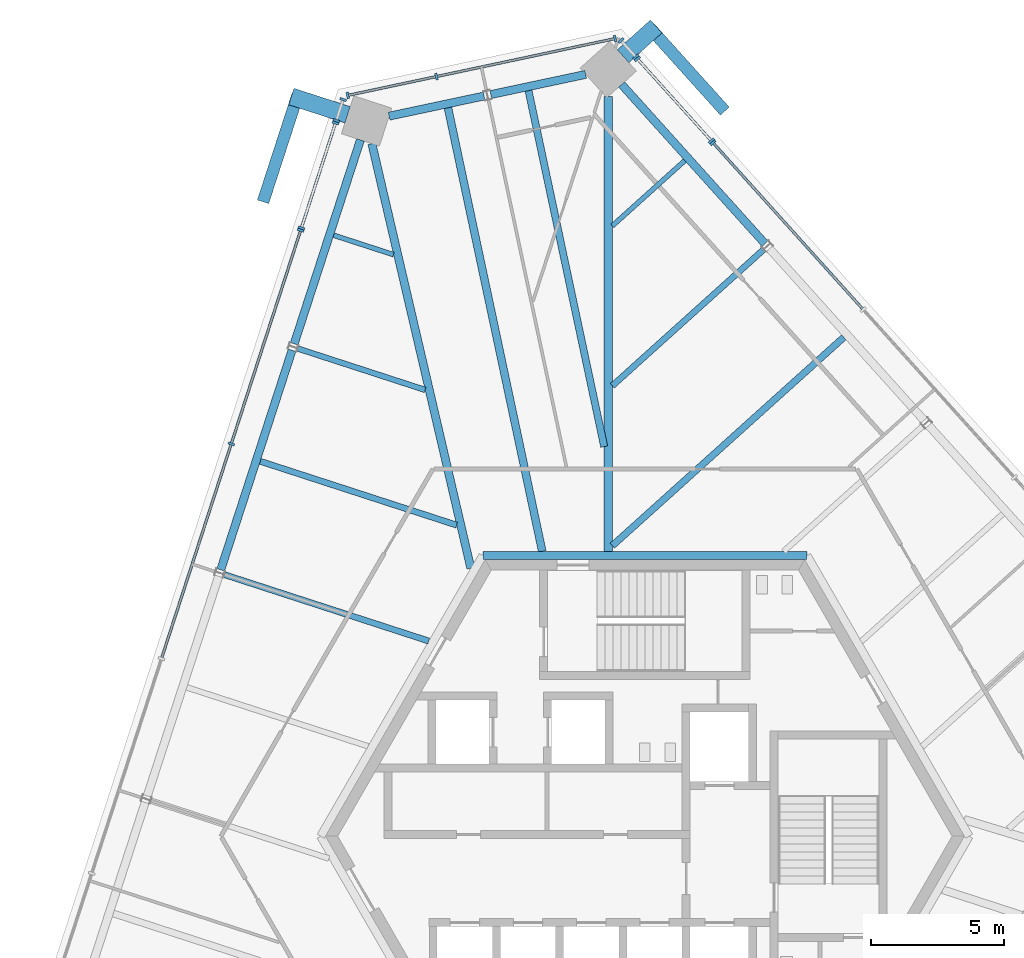
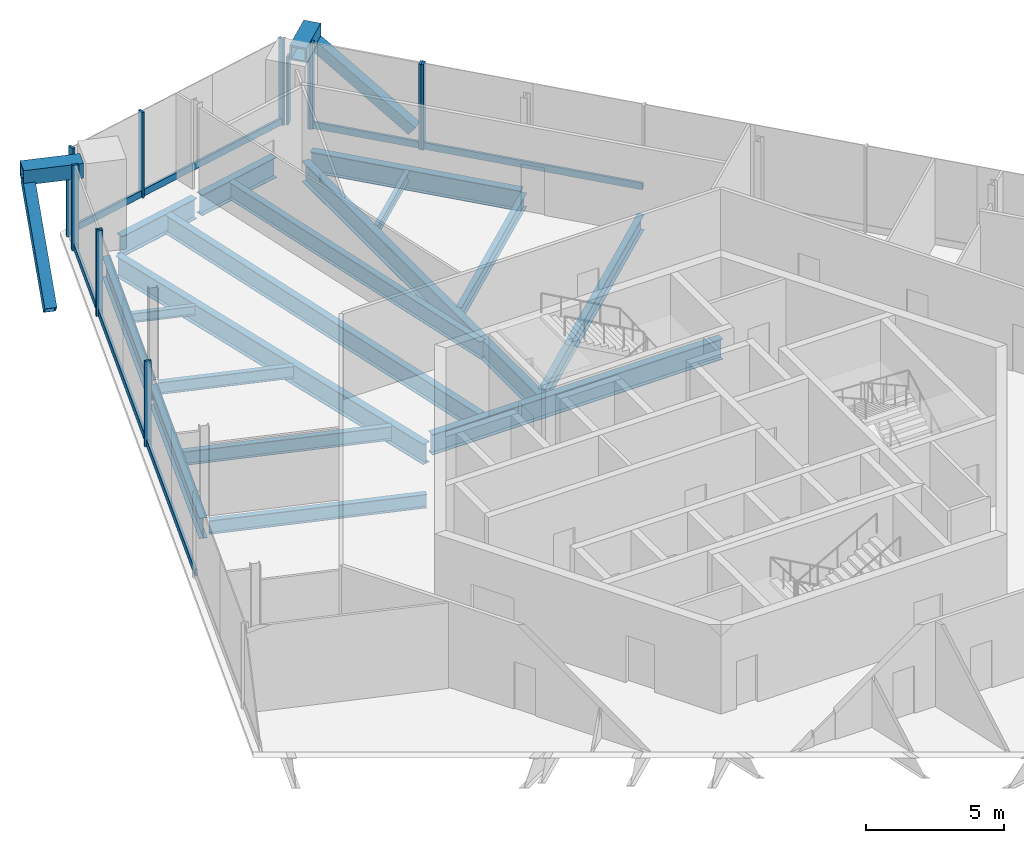
# One storey, part 7 of 16: 25 members, 17 beams, 7 elements without a shape of their own.
"""IFC4 building model written with IfcOpenShell, lengths in metres."""

import ifcopenshell
import ifcopenshell.guid

model = None  # the IFC model being written
_history = None  # IfcOwnerHistory: only IFC2X3 demands one
_inside = {}  # id of a spatial element -> (the spatial element, [elements in it])
_under = {}  # id of a project, library or spatial element -> (it, [spatial elements below it])
_declared = {}  # id of a project -> (the project, [libraries it declares])
_typed = {}  # id of a type object -> (the type object, [elements of that type])
_made_of = {}  # id of a material, layer set ... -> (it, [elements and type objects made of it])


def new_model(schema):
    """Start an empty IFC model of exactly this schema.

    Asked for "IFC4X3", IfcOpenShell would pick the latest addendum, in which some entities
    have other attributes; the version numbers below select the first issue.
    IFC2X3 requires an IfcOwnerHistory on every rooted entity: one is made here for all.
    """
    global model, _history
    if schema == "IFC4X3":
        model = ifcopenshell.file(schema_version=(4, 3, 0, 0))
    else:
        model = ifcopenshell.file(schema=schema)
    _inside.clear()
    _under.clear()
    _declared.clear()
    _typed.clear()
    _made_of.clear()
    _history = None
    if model.schema == "IFC2X3":
        org = make("IfcOrganization", Name="unknown")
        user = make(
            "IfcPersonAndOrganization",
            ThePerson=make("IfcPerson", FamilyName="unknown"),
            TheOrganization=org,
        )
        app = make(
            "IfcApplication",
            ApplicationDeveloper=org,
            Version="unknown",
            ApplicationFullName="unknown",
            ApplicationIdentifier="unknown",
        )
        _history = make(
            "IfcOwnerHistory",
            OwningUser=user,
            OwningApplication=app,
            ChangeAction="ADDED",
            CreationDate=0,
        )
    return model


def make(cls, **values):
    """One entity of the class cls with the attributes given. An attribute that is None is left unset."""
    return model.create_entity(
        cls, **{name: value for name, value in values.items() if value is not None}
    )


def rooted(cls, **values):
    """An entity with a GlobalId (a new one), such as an element, a storey or a relation."""
    return make(cls, GlobalId=ifcopenshell.guid.new(), OwnerHistory=_history, **values)


def si_unit(unit_type, name, prefix=None):
    """IfcSIUnit, for example si_unit("LENGTHUNIT", "METRE", prefix="MILLI")."""
    return make("IfcSIUnit", UnitType=unit_type, Prefix=prefix, Name=name)


def assignment(units):
    """IfcUnitAssignment: the units of a project."""
    return None if units is None else make("IfcUnitAssignment", Units=units)


def point(xyz):
    """IfcCartesianPoint."""
    return None if xyz is None else make("IfcCartesianPoint", Coordinates=xyz)


def direction(xyz):
    """IfcDirection."""
    return None if xyz is None else make("IfcDirection", DirectionRatios=xyz)


def frame(location, z_axis=None, x_axis=None):
    """IfcAxis2Placement3D, a coordinate frame: its origin and axes. An axis left out is left unset."""
    return make(
        "IfcAxis2Placement3D",
        Location=point(location),
        Axis=direction(z_axis),
        RefDirection=direction(x_axis),
    )


def frame_2d(location, x_axis=None):
    """IfcAxis2Placement2D, a coordinate frame in the plane: its origin and x axis."""
    return make(
        "IfcAxis2Placement2D", Location=point(location), RefDirection=direction(x_axis)
    )


def origin():
    """The frame at (0, 0, 0) with its axes left unset."""
    return frame((0.0, 0.0, 0.0))


def origin_2d():
    """The frame at (0, 0) in the plane with its x axis left unset."""
    return frame_2d((0.0, 0.0))


def place(relative_to, where):
    """IfcLocalPlacement: puts the frame where relative to a parent placement (None: the world)."""
    return make(
        "IfcLocalPlacement", PlacementRelTo=relative_to, RelativePlacement=where
    )


def context(
    kind, dimensions, precision=None, world=None, true_north=None, identifier=None
):
    """IfcGeometricRepresentationContext, for example the 3D "Model" context."""
    return make(
        "IfcGeometricRepresentationContext",
        ContextIdentifier=identifier,
        ContextType=kind,
        CoordinateSpaceDimension=dimensions,
        Precision=precision,
        WorldCoordinateSystem=world,
        TrueNorth=true_north,
    )


def subcontext(parent, identifier, kind, view, scale=None):
    """IfcGeometricRepresentationSubContext, for example "Body" below "Model"."""
    return make(
        "IfcGeometricRepresentationSubContext",
        ContextIdentifier=identifier,
        ContextType=kind,
        ParentContext=parent,
        TargetScale=scale,
        TargetView=view,
    )


def project(units=None, contexts=None):
    """IfcProject with its units and contexts."""
    return rooted(
        "IfcProject",
        Name="project",
        RepresentationContexts=contexts,
        UnitsInContext=assignment(units),
    )


def spatial(cls, under=None, at=None, **own):
    """A site, building, storey or space (cls), placed at a placement, below another one or the project."""
    s = rooted(cls, ObjectPlacement=at, **own)
    if under is not None:
        _under.setdefault(under.id(), (under, []))[1].append(s)
    return s


def profile(cls, at=None, kind="AREA", **sizes):
    """A parametric profile (cls). Its sizes go by their IFC names, for example OverallWidth=200.0."""
    return make(cls, ProfileType=kind, Position=at, **sizes)


def rectangle(**sizes):
    """IfcRectangleProfileDef."""
    return profile("IfcRectangleProfileDef", **sizes)


def hollow_rectangle(**sizes):
    """IfcRectangleHollowProfileDef."""
    return profile("IfcRectangleHollowProfileDef", **sizes)


def i_section(**sizes):
    """IfcIShapeProfileDef."""
    return profile("IfcIShapeProfileDef", **sizes)


def extrude(swept, where, along, depth):
    """IfcExtrudedAreaSolid: the profile swept, set in the frame where, extruded along a direction by depth."""
    return make(
        "IfcExtrudedAreaSolid",
        SweptArea=swept,
        Position=where,
        ExtrudedDirection=direction(along),
        Depth=depth,
    )


def shape(context_of_items, identifier, shape_type, items):
    """IfcShapeRepresentation: the items that make up one representation, for example the "Body"."""
    return make(
        "IfcShapeRepresentation",
        ContextOfItems=context_of_items,
        RepresentationIdentifier=identifier,
        RepresentationType=shape_type,
        Items=items,
    )


def source(mapping_origin, context_of_items, identifier, shape_type, items):
    """IfcRepresentationMap: a shape defined once, which mapped items show again and again."""
    return make(
        "IfcRepresentationMap",
        MappingOrigin=mapping_origin,
        MappedRepresentation=shape(context_of_items, identifier, shape_type, items),
    )


def transform(
    local_origin,
    x_axis=None,
    y_axis=None,
    z_axis=None,
    scale=None,
    scale2=None,
    scale3=None,
    uniform=True,
):
    """IfcCartesianTransformationOperator3D, or its non-uniform kind. x_axis, y_axis, z_axis: its Axis1, 2, 3."""
    if uniform:
        return make(
            "IfcCartesianTransformationOperator3D",
            Axis1=direction(x_axis),
            Axis2=direction(y_axis),
            LocalOrigin=point(local_origin),
            Scale=scale,
            Axis3=direction(z_axis),
        )
    return make(
        "IfcCartesianTransformationOperator3DnonUniform",
        Axis1=direction(x_axis),
        Axis2=direction(y_axis),
        LocalOrigin=point(local_origin),
        Scale=scale,
        Axis3=direction(z_axis),
        Scale2=scale2,
        Scale3=scale3,
    )


def mapped(mapping_source, mapping_target):
    """IfcMappedItem: shows the shape of a source again, moved by a transform."""
    return make(
        "IfcMappedItem", MappingSource=mapping_source, MappingTarget=mapping_target
    )


def material(Name=None, Category=None):
    """IfcMaterial."""
    return make("IfcMaterial", Name=Name, Category=Category)


def material_profile(
    of_material, cross_section, Name=None, Category=None, Priority=None
):
    """IfcMaterialProfile: a cross section and its material."""
    return make(
        "IfcMaterialProfile",
        Name=Name,
        Material=of_material,
        Profile=cross_section,
        Priority=Priority,
        Category=Category,
    )


def profile_set(profiles, Name=None, composite=None):
    """IfcMaterialProfileSet."""
    return make(
        "IfcMaterialProfileSet",
        Name=Name,
        MaterialProfiles=profiles,
        CompositeProfile=composite,
    )


def made_of(thing, what):
    """Note that an element or type object is made of a material, layer set ...; save() writes the relation."""
    if what is not None:
        _made_of.setdefault(what.id(), (what, []))[1].append(thing)
    return thing


def type_object(cls, material=None, **own):
    """A type object (cls), such as IfcWallType, which elements share."""
    return made_of(rooted(cls, **own), material)


def element(
    cls,
    number,
    at=None,
    inside=None,
    cuts=None,
    type_object=None,
    material=None,
    context=None,
    identifier="Body",
    shape_type=None,
    held_by="IfcProductDefinitionShape",
    body=None,
    shapes=None,
    **own,
):
    """One element of the class cls, such as IfcWall. Its Tag is "e" and its number.

    at: its placement. inside: the storey or other place that contains it. cuts: it is an
    opening in that element (IfcRelVoidsElement). A single representation is given by context,
    identifier, shape_type and body (its items); several are given by shapes. held_by: the class
    of the entity that holds the representations. save() writes the other relations.
    """
    e = rooted(cls, Tag="e%d" % number, ObjectPlacement=at, **own)
    if body is not None:
        shapes = [shape(context, identifier, shape_type, body)]
    if shapes is not None:
        e.Representation = make(held_by, Representations=shapes)
    if inside is not None:
        _inside.setdefault(inside.id(), (inside, []))[1].append(e)
    if cuts is not None:
        rooted(
            "IfcRelVoidsElement", RelatingBuildingElement=cuts, RelatedOpeningElement=e
        )
    if type_object is not None:
        _typed.setdefault(type_object.id(), (type_object, []))[1].append(e)
    return made_of(e, material)


def aggregate(whole, parts):
    """IfcRelAggregates: a whole, such as a stair, and the parts it consists of."""
    return rooted("IfcRelAggregates", RelatingObject=whole, RelatedObjects=parts)


def save(model, path):
    """Write the relations noted so far, then the file.

    IfcRelAggregates (storeys below a building ...), IfcRelContainedInSpatialStructure (elements
    in a storey), IfcRelDefinesByType, IfcRelAssociatesMaterial and IfcRelDeclares: one each for
    every whole, place, type object, material and project.
    """
    for whole, parts in _under.values():
        aggregate(whole, parts)
    for where, things in _inside.values():
        rooted(
            "IfcRelContainedInSpatialStructure",
            RelatedElements=things,
            RelatingStructure=where,
        )
    for kind, things in _typed.values():
        rooted("IfcRelDefinesByType", RelatedObjects=things, RelatingType=kind)
    for what, things in _made_of.values():
        rooted("IfcRelAssociatesMaterial", RelatedObjects=things, RelatingMaterial=what)
    for by, libraries in _declared.values():
        rooted("IfcRelDeclares", RelatingContext=by, RelatedDefinitions=libraries)
    model.write(path)


model = new_model("IFC4")

# Units and contexts
model_context = context("Model", 3, precision=1e-05, world=origin(), true_north=direction((0.0, 1.0)))
body_context = subcontext(model_context, "Body", "Model", "MODEL_VIEW")
ifc_project = project(units=[si_unit("LENGTHUNIT", "METRE"), si_unit("AREAUNIT", "SQUARE_METRE"), si_unit("VOLUMEUNIT", "CUBIC_METRE"), si_unit("PLANEANGLEUNIT", "RADIAN"), si_unit("MASSUNIT", "GRAM", prefix="KILO")], contexts=[model_context])

# Site, building, storey
site_placement = place(None, origin())
site = spatial("IfcSite", under=ifc_project, at=site_placement, CompositionType="ELEMENT")
building_placement = place(site_placement, origin())
building = spatial("IfcBuilding", under=site, at=building_placement, Name="Triune Harvest Tower", CompositionType="ELEMENT")
storey_placement = place(building_placement, frame((0.0, 0.0, 292.699951171875)))
storey = spatial("IfcBuildingStorey", under=building, at=storey_placement, Name="L77", CompositionType="ELEMENT", Elevation=292.699951171875)

# Beams
ifc_material_1 = material(Name="Steel ASTM A992 Gr 50", Category="steel")
ifc_material_profile_1 = material_profile(ifc_material_1, i_section(OverallWidth=0.3046875, OverallDepth=0.914306640625, WebThickness=0.0166015625, FlangeThickness=0.02587890625, at=origin_2d()), Name="W36x160")
ifc_profile_set_1 = profile_set([ifc_material_profile_1], Name="Steel ASTM A992 Gr 50")
beam_type_1 = type_object("IfcBeamType", Name="CG-1 Core ring girder W36x160", PredefinedType="BEAM", material=ifc_profile_set_1)
shared_shape_1 = source(origin(), body_context, "Body", "SweptSolid", [
    extrude(i_section(OverallWidth=0.3046875, OverallDepth=0.914306640625, WebThickness=0.0166015625, FlangeThickness=0.02587890625, at=origin_2d()), origin(), (0.0, 0.0, 1.0), 12.17578125),
])
beam_1_placement = place(storey_placement, frame((6.087890625, 10.544677734375, -0.63720703125), z_axis=(-1.0, 0.0, 0.0), x_axis=(0.0, -1.0, 0.0)))
element("IfcBeam", 1, at=beam_1_placement, inside=storey, type_object=beam_type_1, Name="beam/L77/CG2", PredefinedType="BEAM", context=body_context, shape_type="MappedRepresentation", body=[
    mapped(shared_shape_1, transform((0.0, 0.0, 0.0), scale=1.0)),
])
ifc_material_2 = material(Name="Steel ASTM A992 Gr 50", Category="steel")
ifc_material_profile_2 = material_profile(ifc_material_2, i_section(OverallWidth=0.3046875, OverallDepth=0.914306640625, WebThickness=0.0166015625, FlangeThickness=0.02587890625, at=origin_2d()), Name="W36x160")
ifc_profile_set_2 = profile_set([ifc_material_profile_2], Name="Steel ASTM A992 Gr 50")
beam_type_2 = type_object("IfcBeamType", Name="SB-1 Spandrel beam W36x160", PredefinedType="SPANDREL", material=ifc_profile_set_2)
shared_shape_2 = source(origin(), body_context, "Body", "SweptSolid", [
    extrude(i_section(OverallWidth=0.3046875, OverallDepth=0.914306640625, WebThickness=0.0166015625, FlangeThickness=0.02587890625, at=origin_2d()), origin(), (0.0, 0.0, 1.0), 8.0498046875),
])
for number, where, z_axis, x_axis, name in (
    (2, (4.511474609375, 22.25537109375, -0.63720703125), (-0.669152382485, 0.743125217588, 0.0), (-0.743125217588, -0.669152382485, 0.0), "beam/L77/SB5"),
    (3, (-10.685791015625, 26.152099609375, -0.63720703125), (-0.30902160762, -0.951055017348, 0.0), (0.951055017348, -0.30902160762, 0.0), "beam/L77/SB8"),
):
    element("IfcBeam", number, at=place(storey_placement, frame(where, z_axis=z_axis, x_axis=x_axis)), inside=storey, type_object=beam_type_2, Name=name, PredefinedType="SPANDREL", context=body_context, shape_type="MappedRepresentation", body=[
        mapped(shared_shape_2, transform((0.0, 0.0, 0.0), scale=1.0)),
    ])
shared_shape_3 = source(origin(), body_context, "Body", "SweptSolid", [
    extrude(i_section(OverallWidth=0.3046875, OverallDepth=0.914306640625, WebThickness=0.0166015625, FlangeThickness=0.02587890625, at=origin_2d()), origin(), (0.0, 0.0, 1.0), 8.67138671875),
])
beam_2_placement = place(storey_placement, frame((-13.252685546875, 18.25244140625, -0.63720703125), z_axis=(-0.309022409974, -0.951054756643, 0.0), x_axis=(0.951054756643, -0.309022409974, 0.0)))
element("IfcBeam", 4, at=beam_2_placement, inside=storey, type_object=beam_type_2, Name="beam/L77/SB9", PredefinedType="SPANDREL", context=body_context, shape_type="MappedRepresentation", body=[
    mapped(shared_shape_3, transform((0.0, 0.0, 0.0), scale=1.0)),
])
shared_shape_4 = source(origin(), body_context, "Body", "SweptSolid", [
    extrude(i_section(OverallWidth=0.3046875, OverallDepth=0.914306640625, WebThickness=0.0166015625, FlangeThickness=0.02587890625, at=origin_2d()), origin(), (0.0, 0.0, 1.0), 3.645751953125),
])
beam_3_placement = place(storey_placement, frame((-2.223876953125, 28.61474609375, -0.63720703125), z_axis=(-0.978145063506, -0.207923627178, 0.0), x_axis=(0.207923627178, -0.978145063506, 0.0)))
element("IfcBeam", 5, at=beam_3_placement, inside=storey, type_object=beam_type_2, Name="beam/L77/SB6", PredefinedType="SPANDREL", context=body_context, shape_type="MappedRepresentation", body=[
    mapped(shared_shape_4, transform((0.0, 0.0, 0.0), scale=1.0)),
])
shared_shape_5 = source(origin(), body_context, "Body", "SweptSolid", [
    extrude(i_section(OverallWidth=0.3046875, OverallDepth=0.914306640625, WebThickness=0.0166015625, FlangeThickness=0.02587890625, at=origin_2d()), origin(), (0.0, 0.0, 1.0), 3.6455078125),
])
beam_4_placement = place(storey_placement, frame((-6.041015625, 27.803466796875, -0.63720703125), z_axis=(-0.978142168213, -0.207937247179, 0.0), x_axis=(0.207937247179, -0.978142168213, 0.0)))
element("IfcBeam", 6, at=beam_4_placement, inside=storey, type_object=beam_type_2, Name="beam/L77/SB7", PredefinedType="SPANDREL", context=body_context, shape_type="MappedRepresentation", body=[
    mapped(shared_shape_5, transform((0.0, 0.0, 0.0), scale=1.0)),
])
ifc_material_3 = material(Name="Steel ASTM A992 Gr 50", Category="steel")
ifc_material_profile_3 = material_profile(ifc_material_3, i_section(OverallWidth=0.3046875, OverallDepth=0.914306640625, WebThickness=0.0166015625, FlangeThickness=0.02587890625, at=origin_2d()), Name="W36x160")
ifc_profile_set_3 = profile_set([ifc_material_profile_3], Name="Steel ASTM A992 Gr 50")
beam_type_3 = type_object("IfcBeamType", Name="HG-3 Hip girder W36x160", PredefinedType="BEAM", material=ifc_profile_set_3)
shared_shape_6 = source(origin(), body_context, "Body", "SweptSolid", [
    extrude(i_section(OverallWidth=0.3046875, OverallDepth=0.914306640625, WebThickness=0.0166015625, FlangeThickness=0.02587890625, at=origin_2d()), origin(), (0.0, 0.0, 1.0), 17.088623046875),
])
beam_5_placement = place(storey_placement, frame((-1.376708984375, 27.78564453125, -0.63720703125), z_axis=(0.0, -1.0, 0.0), x_axis=(1.0, 0.0, 0.0)))
element("IfcBeam", 7, at=beam_5_placement, inside=storey, type_object=beam_type_3, Name="beam/L77/HG2", PredefinedType="BEAM", context=body_context, shape_type="MappedRepresentation", body=[
    mapped(shared_shape_6, transform((0.0, 0.0, 0.0), scale=1.0)),
])
shared_shape_7 = source(origin(), body_context, "Body", "SweptSolid", [
    extrude(i_section(OverallWidth=0.3046875, OverallDepth=0.914306640625, WebThickness=0.0166015625, FlangeThickness=0.02587890625, at=origin_2d()), origin(), (0.0, 0.0, 1.0), 16.37060546875),
])
beam_6_placement = place(storey_placement, frame((-10.255126953125, 26.01220703125, -0.63720703125), z_axis=(0.227026417792, -0.973888600213, 0.0), x_axis=(0.973888600213, 0.227026417792, 0.0)))
element("IfcBeam", 8, at=beam_6_placement, inside=storey, type_object=beam_type_3, Name="beam/L77/HG3", PredefinedType="BEAM", context=body_context, shape_type="MappedRepresentation", body=[
    mapped(shared_shape_7, transform((0.0, 0.0, 0.0), scale=1.0)),
])
ifc_material_4 = material(Name="Steel ASTM A992 Gr 50", Category="steel")
ifc_material_profile_4 = material_profile(ifc_material_4, i_section(OverallWidth=0.22900390625, OverallDepth=0.612060546875, WebThickness=0.011962890625, FlangeThickness=0.01953125, at=origin_2d()), Name="W24x84")
ifc_profile_set_4 = profile_set([ifc_material_profile_4], Name="Steel ASTM A992 Gr 50")
beam_type_4 = type_object("IfcBeamType", Name="JT-3 Floor joist W24x84", PredefinedType="JOIST", material=ifc_profile_set_4)
shared_shape_8 = source(origin(), body_context, "Body", "SweptSolid", [
    extrude(i_section(OverallWidth=0.22900390625, OverallDepth=0.612060546875, WebThickness=0.011962890625, FlangeThickness=0.01953125, at=origin_2d()), origin(), (0.0, 0.0, 1.0), 7.755126953125),
])
beam_7_placement = place(storey_placement, frame((-14.447509765625, 14.081787109375, -0.486083984375), z_axis=(0.951054888115, -0.309022005354, 0.0), x_axis=(0.309022005354, 0.951054888115, 0.0)))
element("IfcBeam", 9, at=beam_7_placement, inside=storey, type_object=beam_type_4, Name="beam/L77/JT14", PredefinedType="JOIST", context=body_context, shape_type="MappedRepresentation", body=[
    mapped(shared_shape_8, transform((0.0, 0.0, 0.0), scale=1.0)),
])
ifc_material_5 = material(Name="Steel ASTM A992 Gr 50", Category="steel")
ifc_material_profile_5 = material_profile(ifc_material_5, i_section(OverallWidth=0.253662109375, OverallDepth=0.683349609375, WebThickness=0.012451171875, FlangeThickness=0.01904296875, at=origin_2d()), Name="W27x94")
ifc_profile_set_5 = profile_set([ifc_material_profile_5], Name="Steel ASTM A992 Gr 50")
beam_type_5 = type_object("IfcBeamType", Name="JT-4 Floor joist W27x94", PredefinedType="JOIST", material=ifc_profile_set_5)
shared_shape_9 = source(origin(), body_context, "Body", "SweptSolid", [
    extrude(i_section(OverallWidth=0.253662109375, OverallDepth=0.683349609375, WebThickness=0.012451171875, FlangeThickness=0.01904296875, at=origin_2d()), origin(), (0.0, 0.0, 1.0), 11.70068359375),
])
beam_8_placement = place(storey_placement, frame((7.470947265625, 18.740478515625, -0.521484375), z_axis=(-0.743153026809, -0.669121497745, 0.0), x_axis=(0.669121497745, -0.743153026809, 0.0)))
element("IfcBeam", 10, at=beam_8_placement, inside=storey, type_object=beam_type_5, Name="beam/L77/JT7", PredefinedType="JOIST", context=body_context, shape_type="MappedRepresentation", body=[
    mapped(shared_shape_9, transform((0.0, 0.0, 0.0), scale=1.0)),
])
shared_shape_10 = source(origin(), body_context, "Body", "SweptSolid", [
    extrude(i_section(OverallWidth=0.22900390625, OverallDepth=0.612060546875, WebThickness=0.011962890625, FlangeThickness=0.01953125, at=origin_2d()), origin(), (0.0, 0.0, 1.0), 7.6533203125),
])
beam_9_placement = place(storey_placement, frame((4.463134765625, 22.039306640625, -0.486083984375), z_axis=(-0.74314185307, -0.669133907537, 0.0), x_axis=(0.669133907537, -0.74314185307, 0.0)))
element("IfcBeam", 11, at=beam_9_placement, inside=storey, type_object=beam_type_4, Name="beam/L77/JT8", PredefinedType="JOIST", context=body_context, shape_type="MappedRepresentation", body=[
    mapped(shared_shape_10, transform((0.0, 0.0, 0.0), scale=1.0)),
])
ifc_material_6 = material(Name="Steel ASTM A992 Gr 50", Category="steel")
ifc_material_profile_6 = material_profile(ifc_material_6, i_section(OverallWidth=0.180908203125, OverallDepth=0.41650390625, WebThickness=0.010986328125, FlangeThickness=0.01806640625, at=origin_2d()), Name="W16x57")
ifc_profile_set_6 = profile_set([ifc_material_profile_6], Name="Steel ASTM A992 Gr 50")
beam_type_6 = type_object("IfcBeamType", Name="JT-1 Floor joist W16x57", PredefinedType="JOIST", material=ifc_profile_set_6)
shared_shape_11 = source(origin(), body_context, "Body", "SweptSolid", [
    extrude(i_section(OverallWidth=0.180908203125, OverallDepth=0.41650390625, WebThickness=0.010986328125, FlangeThickness=0.01806640625, at=origin_2d()), origin(), (0.0, 0.0, 1.0), 3.661865234375),
])
beam_10_placement = place(storey_placement, frame((1.496826171875, 25.37548828125, -0.38818359375), z_axis=(-0.743108471823, -0.669170978977, 0.0), x_axis=(0.669170978977, -0.743108471823, 0.0)))
element("IfcBeam", 12, at=beam_10_placement, inside=storey, type_object=beam_type_6, Name="beam/L77/JT9", PredefinedType="JOIST", context=body_context, shape_type="MappedRepresentation", body=[
    mapped(shared_shape_11, transform((0.0, 0.0, 0.0), scale=1.0)),
])
ifc_material_7 = material(Name="Steel ASTM A992 Gr 50", Category="steel")
ifc_material_profile_7 = material_profile(ifc_material_7, i_section(OverallWidth=0.2666015625, OverallDepth=0.7568359375, WebThickness=0.013916015625, FlangeThickness=0.019287109375, at=origin_2d()), Name="W30x108")
ifc_profile_set_7 = profile_set([ifc_material_profile_7], Name="Steel ASTM A992 Gr 50")
beam_type_7 = type_object("IfcBeamType", Name="JT-5 Floor joist W30x108", PredefinedType="JOIST", material=ifc_profile_set_7)
shared_shape_12 = source(origin(), body_context, "Body", "SweptSolid", [
    extrude(i_section(OverallWidth=0.2666015625, OverallDepth=0.7568359375, WebThickness=0.013916015625, FlangeThickness=0.019287109375, at=origin_2d()), origin(), (0.0, 0.0, 1.0), 13.66796875),
])
beam_11_placement = place(storey_placement, frame((-4.370849609375, 28.002685546875, -0.558349609375), z_axis=(0.207897850023, -0.978150542583, 0.0), x_axis=(0.978150542583, 0.207897850023, 0.0)))
element("IfcBeam", 13, at=beam_11_placement, inside=storey, type_object=beam_type_7, Name="beam/L77/JT10", PredefinedType="JOIST", context=body_context, shape_type="MappedRepresentation", body=[
    mapped(shared_shape_12, transform((0.0, 0.0, 0.0), scale=1.0)),
])
ifc_material_8 = material(Name="Steel ASTM A992 Gr 50", Category="steel")
ifc_material_profile_8 = material_profile(ifc_material_8, i_section(OverallWidth=0.2919921875, OverallDepth=0.8408203125, WebThickness=0.0146484375, FlangeThickness=0.021728515625, at=origin_2d()), Name="W33x130")
ifc_profile_set_8 = profile_set([ifc_material_profile_8], Name="Steel ASTM A992 Gr 50")
beam_type_8 = type_object("IfcBeamType", Name="JT-6 Floor joist W33x130", PredefinedType="JOIST", material=ifc_profile_set_8)
shared_shape_13 = source(origin(), body_context, "Body", "SweptSolid", [
    extrude(i_section(OverallWidth=0.2919921875, OverallDepth=0.8408203125, WebThickness=0.0146484375, FlangeThickness=0.021728515625, at=origin_2d()), origin(), (0.0, 0.0, 1.0), 17.034912109375),
])
beam_12_placement = place(storey_placement, frame((-7.396728515625, 27.359619140625, -0.600341796875), z_axis=(0.207911891923, -0.978147557988, 0.0), x_axis=(0.978147557988, 0.207911891923, 0.0)))
element("IfcBeam", 14, at=beam_12_placement, inside=storey, type_object=beam_type_8, Name="beam/L77/JT11", PredefinedType="JOIST", context=body_context, shape_type="MappedRepresentation", body=[
    mapped(shared_shape_13, transform((0.0, 0.0, 0.0), scale=1.0)),
])
shared_shape_14 = source(origin(), body_context, "Body", "SweptSolid", [
    extrude(i_section(OverallWidth=0.180908203125, OverallDepth=0.41650390625, WebThickness=0.010986328125, FlangeThickness=0.01806640625, at=origin_2d()), origin(), (0.0, 0.0, 1.0), 2.36474609375),
])
beam_13_placement = place(storey_placement, frame((-11.688720703125, 22.57275390625, -0.38818359375), z_axis=(0.951061378221, -0.309002030505, 0.0), x_axis=(0.309002030505, 0.951061378221, 0.0)))
element("IfcBeam", 15, at=beam_13_placement, inside=storey, type_object=beam_type_6, Name="beam/L77/JT12", PredefinedType="JOIST", context=body_context, shape_type="MappedRepresentation", body=[
    mapped(shared_shape_14, transform((0.0, 0.0, 0.0), scale=1.0)),
])
ifc_material_9 = material(Name="Steel ASTM A992 Gr 50", Category="steel")
ifc_material_profile_9 = material_profile(ifc_material_9, i_section(OverallWidth=0.2099609375, OverallDepth=0.535888671875, WebThickness=0.010986328125, FlangeThickness=0.017333984375, at=origin_2d()), Name="W21x68")
ifc_profile_set_9 = profile_set([ifc_material_profile_9], Name="Steel ASTM A992 Gr 50")
beam_type_9 = type_object("IfcBeamType", Name="JT-2 Floor joist W21x68", PredefinedType="JOIST", material=ifc_profile_set_9)
shared_shape_15 = source(origin(), body_context, "Body", "SweptSolid", [
    extrude(i_section(OverallWidth=0.2099609375, OverallDepth=0.535888671875, WebThickness=0.010986328125, FlangeThickness=0.017333984375, at=origin_2d()), origin(), (0.0, 0.0, 1.0), 5.0322265625),
])
beam_14_placement = place(storey_placement, frame((-13.04150390625, 18.318603515625, -0.447998046875), z_axis=(0.951062231031, -0.308999405674, 0.0), x_axis=(0.308999405674, 0.951062231031, 0.0)))
element("IfcBeam", 16, at=beam_14_placement, inside=storey, type_object=beam_type_9, Name="beam/L77/JT13", PredefinedType="JOIST", context=body_context, shape_type="MappedRepresentation", body=[
    mapped(shared_shape_15, transform((0.0, 0.0, 0.0), scale=1.0)),
])
shared_shape_16 = source(origin(), body_context, "Body", "SweptSolid", [
    extrude(i_section(OverallWidth=0.22900390625, OverallDepth=0.612060546875, WebThickness=0.011962890625, FlangeThickness=0.01953125, at=origin_2d()), origin(), (0.0, 0.0, 1.0), 8.07666015625),
])
beam_15_placement = place(storey_placement, frame((-15.80029296875, 9.82763671875, -0.486083984375), z_axis=(0.951056057917, -0.309018405114, 0.0), x_axis=(0.309018405114, 0.951056057917, 0.0)))
element("IfcBeam", 17, at=beam_15_placement, inside=storey, type_object=beam_type_4, Name="beam/L77/JT15", PredefinedType="JOIST", context=body_context, shape_type="MappedRepresentation", body=[
    mapped(shared_shape_16, transform((0.0, 0.0, 0.0), scale=1.0)),
])

# Members
ifc_material_10 = material(Name="Steel ASTM A572 Gr 50", Category="steel")
ifc_material_profile_10 = material_profile(ifc_material_10, hollow_rectangle(XDim=0.64990234375, YDim=0.64990234375, WallThickness=0.070068359375, at=origin_2d()), Name="Box 650x650x70")
ifc_profile_set_10 = profile_set([ifc_material_profile_10], Name="Steel ASTM A572 Gr 50")
member_type_1 = type_object("IfcMemberType", Name="BS-1 Brace stub Box 650x650x70", PredefinedType="STRUT", material=ifc_profile_set_10)
shared_shape_17 = source(origin(), body_context, "Body", "SweptSolid", [
    extrude(hollow_rectangle(XDim=0.64990234375, YDim=0.64990234375, WallThickness=0.070068359375, at=origin_2d()), origin(), (0.0, 0.0, 1.0), 1.673095703125),
])
member_1_placement = place(storey_placement, frame((-0.8193359375, 29.296630859375, 3.400146484375), z_axis=(0.743061907728, 0.669222684376, 0.0), x_axis=(-0.669222684376, 0.743061907728, 0.0)))
element("IfcMember", 18, at=member_1_placement, inside=storey, type_object=member_type_1, Name="brace/B7-F1/stub2", PredefinedType="STRUT", context=body_context, shape_type="MappedRepresentation", body=[
    mapped(shared_shape_17, transform((0.0, 0.0, 0.0), scale=1.0)),
])
ifc_material_11 = material(Name="Steel ASTM A572 Gr 50", Category="steel")
ifc_material_profile_11 = material_profile(ifc_material_11, hollow_rectangle(XDim=0.449951171875, YDim=0.449951171875, WallThickness=0.02490234375, at=origin_2d()), Name="Box 450x450x25")
ifc_profile_set_11 = profile_set([ifc_material_profile_11], Name="Steel ASTM A572 Gr 50")
member_type_2 = type_object("IfcMemberType", Name="BR-4 Brace Box 450x450x25", PredefinedType="BRACE", material=ifc_profile_set_11)
shared_shape_18 = source(origin(), body_context, "Body", "SweptSolid", [
    extrude(hollow_rectangle(XDim=0.449951171875, YDim=0.449951171875, WallThickness=0.02490234375, at=origin_2d()), origin(), (0.0, 0.0, 1.0), 5.04345703125),
])
for number, where, z_axis, x_axis, name in (
    (19, (2.908935546875, 27.338623046875, 0.0), (-0.52401012645, 0.582002194024, 0.621841485854), (-0.743161970832, -0.669111564023, 0.0), "brace/B7-F1/d1/10"),
    (20, (-14.300048828125, 23.9619140625, 0.0), (0.241983891623, 0.74483019412, 0.621829380234), (-0.951066313628, 0.308986839659, 0.0), "brace/B7-F3/d2/10"),
):
    element("IfcMember", number, at=place(storey_placement, frame(where, z_axis=z_axis, x_axis=x_axis)), inside=storey, type_object=member_type_2, Name=name, PredefinedType="BRACE", context=body_context, shape_type="MappedRepresentation", body=[
        mapped(shared_shape_18, transform((0.0, 0.0, 0.0), scale=1.0)),
    ])
shared_shape_19 = source(origin(), body_context, "Body", "SweptSolid", [
    extrude(hollow_rectangle(XDim=0.64990234375, YDim=0.64990234375, WallThickness=0.070068359375, at=origin_2d()), origin(), (0.0, 0.0, 1.0), 2.22314453125),
])
member_2_placement = place(storey_placement, frame((-11.16748046875, 27.09716796875, 3.400146484375), z_axis=(-0.951050208458, 0.309036407229, 0.0), x_axis=(-0.309036407229, -0.951050208458, 0.0)))
element("IfcMember", 21, at=member_2_placement, inside=storey, type_object=member_type_1, Name="brace/B7-F3/stub4", PredefinedType="STRUT", context=body_context, shape_type="MappedRepresentation", body=[
    mapped(shared_shape_19, transform((0.0, 0.0, 0.0), scale=1.0)),
])

# Curtain wall, members
ifc_material_12 = material(Name="Aluminium bronze anodised", Category="aluminium")
curtain_wall_type_1 = type_object("IfcCurtainWallType", Name="CW-4 Sky lobby tall glazing wall", PredefinedType="NOTDEFINED", material=ifc_material_12)
curtain_wall_1_placement = place(storey_placement, origin())
curtain_wall_1 = element("IfcCurtainWall", 22, at=curtain_wall_1_placement, inside=storey, type_object=curtain_wall_type_1, Name="CW-4 B7-F2 L77 run 1")
ifc_material_13 = material(Name="Aluminium bronze anodised", Category="aluminium")
ifc_material_profile_12 = material_profile(ifc_material_13, rectangle(XDim=0.10009765625, YDim=0.300048828125, at=origin_2d()), Name="TR-4 transom 100 x 300")
ifc_profile_set_12 = profile_set([ifc_material_profile_12], Name="Aluminium bronze anodised")
member_type_3 = type_object("IfcMemberType", Name="TR-4 transom 100 x 300", PredefinedType="USERDEFINED", material=ifc_profile_set_12)
shared_shape_20 = source(origin(), body_context, "Body", "SweptSolid", [
    extrude(rectangle(XDim=0.10009765625, YDim=0.300048828125, at=origin_2d()), origin(), (0.0, 0.0, 1.0), 6.767578125),
])
member_3_placement = place(storey_placement, frame((-1.16552734375, 29.949462890625, 0.150146484375), z_axis=(-0.978149498035, -0.207902764519, 0.0), x_axis=(0.207902764519, -0.978149498035, 0.0)))
member_3 = element("IfcMember", 23, at=member_3_placement, type_object=member_type_3, Name="CW-4 transom B7-F2 1.1", ObjectType="TRANSOM", PredefinedType="USERDEFINED", context=body_context, shape_type="MappedRepresentation", body=[
    mapped(shared_shape_20, transform((0.0, 0.0, 0.0), scale=1.0)),
])
shared_shape_21 = source(origin(), body_context, "Body", "SweptSolid", [
    extrude(rectangle(XDim=0.10009765625, YDim=0.300048828125, at=origin_2d()), origin(), (0.0, 0.0, 1.0), 3.31640625),
])
member_4_placement = place(storey_placement, frame((-7.873046875, 28.52392578125, 0.150146484375), z_axis=(-0.978151179276, -0.20789485439, 0.0), x_axis=(0.20789485439, -0.978151179276, 0.0)))
member_4 = element("IfcMember", 24, at=member_4_placement, type_object=member_type_3, Name="CW-4 transom B7-F2 1.2", ObjectType="TRANSOM", PredefinedType="USERDEFINED", context=body_context, shape_type="MappedRepresentation", body=[
    mapped(shared_shape_21, transform((0.0, 0.0, 0.0), scale=1.0)),
])

ifc_material_14 = material(Name="Aluminium bronze anodised", Category="aluminium")
curtain_wall_type_2 = type_object("IfcCurtainWallType", Name="CW-9 Sky lobby tall glazing wall with insulated spandrel infill", PredefinedType="NOTDEFINED", material=ifc_material_14)
curtain_wall_2_placement = place(storey_placement, origin())
curtain_wall_2 = element("IfcCurtainWall", 25, at=curtain_wall_2_placement, inside=storey, type_object=curtain_wall_type_2, Name="CW-9 B7-F1 L77 run 201")
ifc_material_15 = material(Name="Aluminium bronze anodised", Category="aluminium")
ifc_material_profile_13 = material_profile(ifc_material_15, rectangle(XDim=0.25, YDim=0.090087890625, at=origin_2d()), Name="MU-4 mullion 90 x 250")
ifc_profile_set_13 = profile_set([ifc_material_profile_13], Name="Aluminium bronze anodised")
member_type_4 = type_object("IfcMemberType", Name="MU-4 mullion 90 x 250", PredefinedType="MULLION", material=ifc_profile_set_13)
shared_shape_22 = source(origin(), body_context, "Body", "SweptSolid", [
    extrude(rectangle(XDim=0.25, YDim=0.090087890625, at=origin_2d()), origin(), (0.0, 0.0, 1.0), 3.01513671875),
])
member_5_placement = place(storey_placement, frame((-0.342529296875, 29.2685546875, 0.0), z_axis=(0.0, 0.0, 1.0), x_axis=(-0.743132293862, -0.669144523866, 0.0)))
member_5 = element("IfcMember", 26, at=member_5_placement, type_object=member_type_4, Name="CW-9 mullion B7-F1 201.1", PredefinedType="MULLION", context=body_context, shape_type="MappedRepresentation", body=[
    mapped(shared_shape_22, transform((0.0, 0.0, 0.0), scale=1.0)),
])
member_6_placement = place(storey_placement, frame((-0.899169921875, 29.88671875, 0.0), z_axis=(0.0, 0.0, 1.0), x_axis=(-0.743132293862, -0.669144523866, 0.0)))
member_6 = element("IfcMember", 27, at=member_6_placement, type_object=member_type_4, Name="CW-9 mullion B7-F1 201.2", PredefinedType="MULLION", context=body_context, shape_type="MappedRepresentation", body=[
    mapped(shared_shape_22, transform((0.0, 0.0, 0.0), scale=1.0)),
])
aggregate(curtain_wall_2, [member_5, member_6])

curtain_wall_3_placement = place(storey_placement, origin())
curtain_wall_3 = element("IfcCurtainWall", 28, at=curtain_wall_3_placement, inside=storey, type_object=curtain_wall_type_2, Name="CW-9 B7-F3 L77 run 1")
member_7_placement = place(storey_placement, frame((-11.334716796875, 27.668701171875, 0.0), z_axis=(0.0, 0.0, 1.0), x_axis=(0.951042837496, -0.309059090221, 0.0)))
member_7 = element("IfcMember", 29, at=member_7_placement, type_object=member_type_4, Name="CW-9 mullion B7-F3 1.1", PredefinedType="MULLION", context=body_context, shape_type="MappedRepresentation", body=[
    mapped(shared_shape_22, transform((0.0, 0.0, 0.0), scale=1.0)),
])
member_8_placement = place(storey_placement, frame((-11.591796875, 26.87744140625, 0.0), z_axis=(0.0, 0.0, 1.0), x_axis=(0.951042837496, -0.309059090221, 0.0)))
member_8 = element("IfcMember", 30, at=member_8_placement, type_object=member_type_4, Name="CW-9 mullion B7-F3 1.2", PredefinedType="MULLION", context=body_context, shape_type="MappedRepresentation", body=[
    mapped(shared_shape_22, transform((0.0, 0.0, 0.0), scale=1.0)),
])
aggregate(curtain_wall_3, [member_7, member_8])

# Curtain wall, member
curtain_wall_4_placement = place(storey_placement, origin())
curtain_wall_4 = element("IfcCurtainWall", 31, at=curtain_wall_4_placement, inside=storey, type_object=curtain_wall_type_1, Name="CW-4 B7-F1 L77 run 1101")
shared_shape_23 = source(origin(), body_context, "Body", "SweptSolid", [
    extrude(rectangle(XDim=0.25, YDim=0.090087890625, at=origin_2d()), origin(), (0.0, 0.0, 1.0), 3.800048828125),
])
member_9_placement = place(storey_placement, frame((2.555419921875, 26.050048828125, 0.0), z_axis=(0.0, 0.0, 1.0), x_axis=(-0.743143165769, -0.669132449647, 0.0)))
member_9 = element("IfcMember", 32, at=member_9_placement, type_object=member_type_4, Name="CW-4 mullion B7-F1 1101.9", PredefinedType="MULLION", context=body_context, shape_type="MappedRepresentation", body=[
    mapped(shared_shape_23, transform((0.0, 0.0, 0.0), scale=1.0)),
])

# Curtain wall, members
curtain_wall_5_placement = place(storey_placement, origin())
curtain_wall_5 = element("IfcCurtainWall", 33, at=curtain_wall_5_placement, inside=storey, type_object=curtain_wall_type_2, Name="CW-9 B7-F1 L77 run 2101")
member_10_placement = place(storey_placement, frame((2.4951171875, 26.116943359375, 0.0), z_axis=(0.0, 0.0, 1.0), x_axis=(-0.743147562931, -0.669127566096, 0.0)))
member_10 = element("IfcMember", 34, at=member_10_placement, type_object=member_type_4, Name="CW-9 mullion B7-F1 2101.1", PredefinedType="MULLION", context=body_context, shape_type="MappedRepresentation", body=[
    mapped(shared_shape_23, transform((0.0, 0.0, 0.0), scale=1.0)),
])
member_11_placement = place(storey_placement, frame((-0.2822265625, 29.20166015625, 0.0), z_axis=(0.0, 0.0, 1.0), x_axis=(-0.743147562931, -0.669127566096, 0.0)))
member_11 = element("IfcMember", 35, at=member_11_placement, type_object=member_type_4, Name="CW-9 mullion B7-F1 2101.2", PredefinedType="MULLION", context=body_context, shape_type="MappedRepresentation", body=[
    mapped(shared_shape_23, transform((0.0, 0.0, 0.0), scale=1.0)),
])

# Member
member_12_placement = place(storey_placement, frame((-1.121337890625, 29.958984375, 0.0), z_axis=(0.0, 0.0, 1.0), x_axis=(0.207904739307, -0.978149078297, 0.0)))
member_12 = element("IfcMember", 36, at=member_12_placement, type_object=member_type_4, Name="CW-4 mullion B7-F2 1.1", PredefinedType="MULLION", context=body_context, shape_type="MappedRepresentation", body=[
    mapped(shared_shape_23, transform((0.0, 0.0, 0.0), scale=1.0)),
])

member_13_placement = place(storey_placement, frame((-7.8291015625, 28.533203125, 0.0), z_axis=(0.0, 0.0, 1.0), x_axis=(0.207904739307, -0.978149078297, 0.0)))
member_13 = element("IfcMember", 37, at=member_13_placement, type_object=member_type_4, Name="CW-4 mullion B7-F2 1.3", PredefinedType="MULLION", context=body_context, shape_type="MappedRepresentation", body=[
    mapped(shared_shape_23, transform((0.0, 0.0, 0.0), scale=1.0)),
])

member_14_placement = place(storey_placement, frame((-11.160888671875, 27.824951171875, 0.0), z_axis=(0.0, 0.0, 1.0), x_axis=(0.207904739307, -0.978149078297, 0.0)))
member_14 = element("IfcMember", 38, at=member_14_placement, type_object=member_type_4, Name="CW-4 mullion B7-F2 1.4", PredefinedType="MULLION", context=body_context, shape_type="MappedRepresentation", body=[
    mapped(shared_shape_23, transform((0.0, 0.0, 0.0), scale=1.0)),
])

aggregate(curtain_wall_1, [member_12, member_13, member_14, member_3, member_4])

# Curtain wall, members
curtain_wall_6_placement = place(storey_placement, origin())
curtain_wall_6 = element("IfcCurtainWall", 39, at=curtain_wall_6_placement, inside=storey, type_object=curtain_wall_type_2, Name="CW-9 B7-F3 L77 run 101")
member_15_placement = place(storey_placement, frame((-11.619384765625, 26.7919921875, 0.0), z_axis=(0.0, 0.0, 1.0), x_axis=(0.951054168245, -0.309024220836, 0.0)))
member_15 = element("IfcMember", 40, at=member_15_placement, type_object=member_type_4, Name="CW-9 mullion B7-F3 101.1", PredefinedType="MULLION", context=body_context, shape_type="MappedRepresentation", body=[
    mapped(shared_shape_23, transform((0.0, 0.0, 0.0), scale=1.0)),
])
member_16_placement = place(storey_placement, frame((-12.902099609375, 22.84423828125, 0.0), z_axis=(0.0, 0.0, 1.0), x_axis=(0.951054168245, -0.309024220836, 0.0)))
member_16 = element("IfcMember", 41, at=member_16_placement, type_object=member_type_4, Name="CW-9 mullion B7-F3 101.2", PredefinedType="MULLION", context=body_context, shape_type="MappedRepresentation", body=[
    mapped(shared_shape_23, transform((0.0, 0.0, 0.0), scale=1.0)),
])

curtain_wall_7_placement = place(storey_placement, origin())
curtain_wall_7 = element("IfcCurtainWall", 42, at=curtain_wall_7_placement, inside=storey, type_object=curtain_wall_type_1, Name="CW-4 B7-F3 L77 run 1101")
member_17_placement = place(storey_placement, frame((-12.929931640625, 22.7587890625, 0.0), z_axis=(0.0, 0.0, 1.0), x_axis=(0.951057914817, -0.309012690134, 0.0)))
member_17 = element("IfcMember", 43, at=member_17_placement, type_object=member_type_4, Name="CW-4 mullion B7-F3 1101.1", PredefinedType="MULLION", context=body_context, shape_type="MappedRepresentation", body=[
    mapped(shared_shape_23, transform((0.0, 0.0, 0.0), scale=1.0)),
])
member_18_placement = place(storey_placement, frame((-15.537109375, 14.735107421875, 0.0), z_axis=(0.0, 0.0, 1.0), x_axis=(0.951057914817, -0.309012690134, 0.0)))
member_18 = element("IfcMember", 44, at=member_18_placement, type_object=member_type_4, Name="CW-4 mullion B7-F3 1101.3", PredefinedType="MULLION", context=body_context, shape_type="MappedRepresentation", body=[
    mapped(shared_shape_23, transform((0.0, 0.0, 0.0), scale=1.0)),
])

# Member
shared_shape_24 = source(origin(), body_context, "Body", "SweptSolid", [
    extrude(rectangle(XDim=0.10009765625, YDim=0.300048828125, at=origin_2d()), origin(), (0.0, 0.0, 1.0), 4.060791015625),
])
member_19_placement = place(storey_placement, frame((2.465087890625, 26.150390625, 0.150146484375), z_axis=(-0.669134112768, 0.743141668277, 0.0), x_axis=(-0.743141668277, -0.669134112768, 0.0)))
member_19 = element("IfcMember", 45, at=member_19_placement, type_object=member_type_3, Name="CW-9 transom B7-F1 2101.1", ObjectType="TRANSOM", PredefinedType="USERDEFINED", context=body_context, shape_type="MappedRepresentation", body=[
    mapped(shared_shape_24, transform((0.0, 0.0, 0.0), scale=1.0)),
])

aggregate(curtain_wall_5, [member_10, member_11, member_19])

shared_shape_25 = source(origin(), body_context, "Body", "SweptSolid", [
    extrude(rectangle(XDim=0.10009765625, YDim=0.300048828125, at=origin_2d()), origin(), (0.0, 0.0, 1.0), 8.346435546875),
])
member_20_placement = place(storey_placement, frame((8.17041015625, 19.81396484375, 0.150146484375), z_axis=(-0.669136015532, 0.743139955001, 0.0), x_axis=(-0.743139955001, -0.669136015532, 0.0)))
member_20 = element("IfcMember", 46, at=member_20_placement, type_object=member_type_3, Name="CW-4 transom B7-F1 1101.4", ObjectType="TRANSOM", PredefinedType="USERDEFINED", context=body_context, shape_type="MappedRepresentation", body=[
    mapped(shared_shape_25, transform((0.0, 0.0, 0.0), scale=1.0)),
])

aggregate(curtain_wall_4, [member_9, member_20])

member_21_placement = place(storey_placement, frame((-12.94384765625, 22.7158203125, 0.150146484375), z_axis=(-0.309031836824, -0.951051693563, 0.0), x_axis=(0.951051693563, -0.309031836824, 0.0)))
member_21 = element("IfcMember", 47, at=member_21_placement, type_object=member_type_3, Name="CW-4 transom B7-F3 1101.1", ObjectType="TRANSOM", PredefinedType="USERDEFINED", context=body_context, shape_type="MappedRepresentation", body=[
    mapped(shared_shape_25, transform((0.0, 0.0, 0.0), scale=1.0)),
])

shared_shape_26 = source(origin(), body_context, "Body", "SweptSolid", [
    extrude(rectangle(XDim=0.10009765625, YDim=0.300048828125, at=origin_2d()), origin(), (0.0, 0.0, 1.0), 8.3916015625),
])
member_22_placement = place(storey_placement, frame((-15.551025390625, 14.6923828125, 0.150146484375), z_axis=(-0.30900055076, -0.951061858992, 0.0), x_axis=(0.951061858992, -0.30900055076, 0.0)))
member_22 = element("IfcMember", 48, at=member_22_placement, type_object=member_type_3, Name="CW-4 transom B7-F3 1101.2", ObjectType="TRANSOM", PredefinedType="USERDEFINED", context=body_context, shape_type="MappedRepresentation", body=[
    mapped(shared_shape_26, transform((0.0, 0.0, 0.0), scale=1.0)),
])

aggregate(curtain_wall_7, [member_17, member_18, member_21, member_22])

shared_shape_27 = source(origin(), body_context, "Body", "SweptSolid", [
    extrude(rectangle(XDim=0.10009765625, YDim=0.300048828125, at=origin_2d()), origin(), (0.0, 0.0, 1.0), 4.060546875),
])
member_23_placement = place(storey_placement, frame((-11.63330078125, 26.7490234375, 0.150146484375), z_axis=(-0.309039848514, -0.951049090232, 0.0), x_axis=(0.951049090232, -0.309039848514, 0.0)))
member_23 = element("IfcMember", 49, at=member_23_placement, type_object=member_type_3, Name="CW-9 transom B7-F3 101.1", ObjectType="TRANSOM", PredefinedType="USERDEFINED", context=body_context, shape_type="MappedRepresentation", body=[
    mapped(shared_shape_27, transform((0.0, 0.0, 0.0), scale=1.0)),
])

aggregate(curtain_wall_6, [member_15, member_16, member_23])

save(model, "model.ifc")
